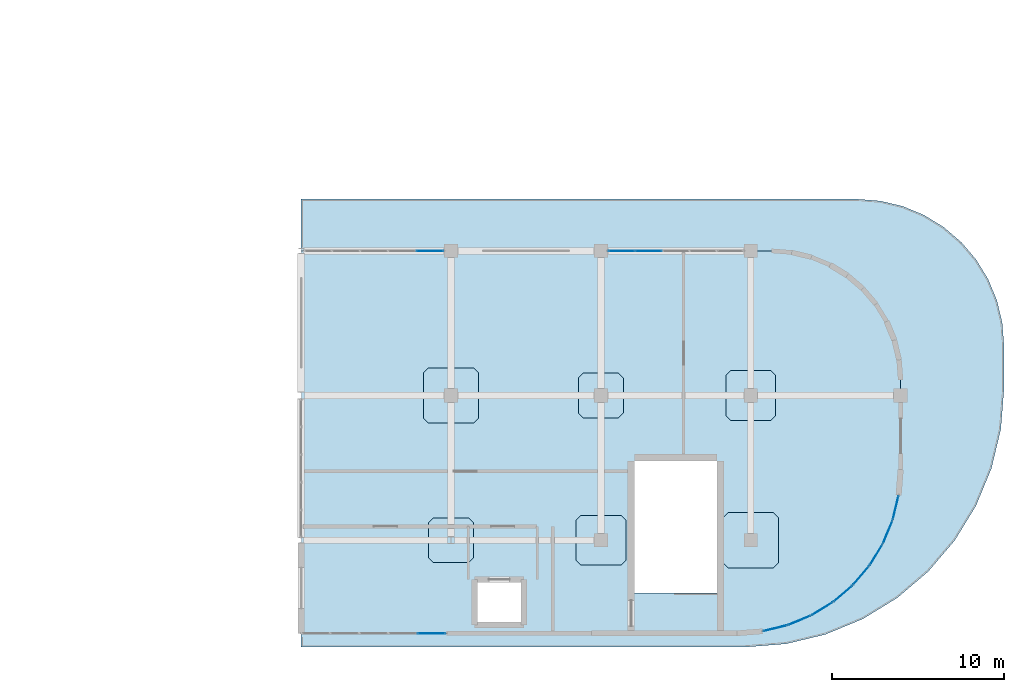
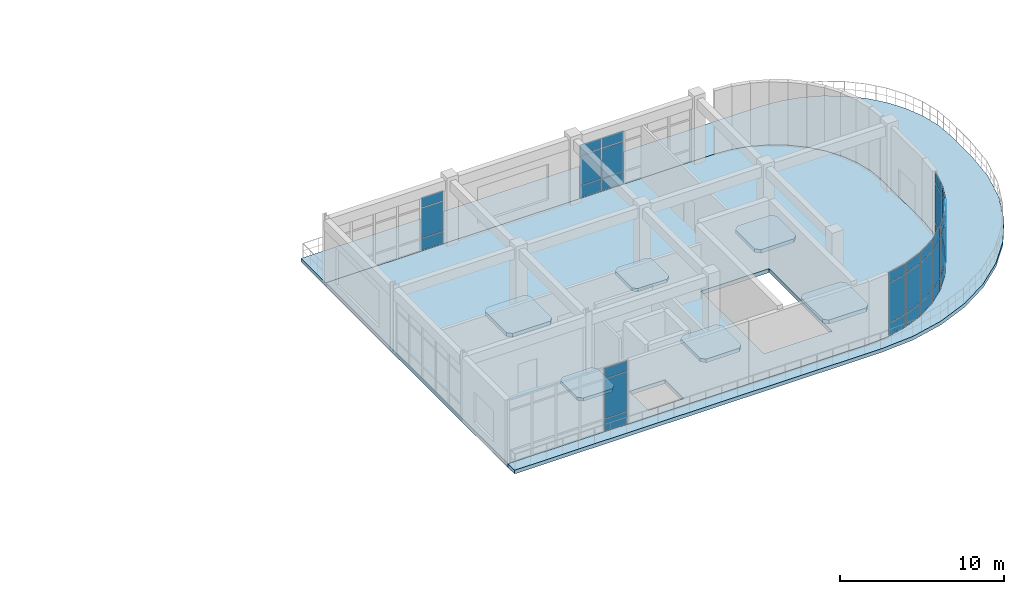
# One storey, part 76 of 96: 36 plates, 8 slabs, 11 elements without a shape of their own.
"""IFC4 building model written with IfcOpenShell, lengths in metres."""

from ifc_helpers import new_model, si_unit, derived_unit, direction, frame, origin, origin_2d, place, context, subcontext, project, spatial, polyline, rectangle, outline, extrude, material, layer, layer_set, type_object, element, aggregate, save


model = new_model("IFC4")

# Units and contexts
model_context = context("Model", 3, precision=1e-05, world=origin(), true_north=direction((0.0, 1.0)))
body_context = subcontext(model_context, "Body", "Model", "MODEL_VIEW")
ifc_project = project(units=[si_unit("LENGTHUNIT", "METRE"), si_unit("AREAUNIT", "SQUARE_METRE"), si_unit("VOLUMEUNIT", "CUBIC_METRE"), si_unit("PLANEANGLEUNIT", "RADIAN"), si_unit("MASSUNIT", "GRAM", prefix="KILO"), derived_unit("THERMALTRANSMITTANCEUNIT", [(si_unit("MASSUNIT", "GRAM", prefix="KILO"), 1), (si_unit("TIMEUNIT", "SECOND"), -3), (si_unit("THERMODYNAMICTEMPERATUREUNIT", "KELVIN"), -1)])], contexts=[model_context])

# Site, building, storey
site_placement = place(None, origin())
site = spatial("IfcSite", under=ifc_project, at=site_placement, CompositionType="ELEMENT")
building_placement = place(site_placement, origin())
building = spatial("IfcBuilding", under=site, at=building_placement, Name="Qinzheling Arcade Emporium", CompositionType="ELEMENT")
storey_placement = place(building_placement, frame((0.0, 0.0, 21.60009765625)))
storey = spatial("IfcBuildingStorey", under=building, at=storey_placement, Name="L05", CompositionType="ELEMENT", Elevation=21.60009765625)

# Slabs
ifc_material_1 = material(Name="Concrete C40", Category="concrete")
ifc_layer_1 = layer(ifc_material_1, 0.235107421875, Name="Concrete C40", Category="concrete")
ifc_layer_set_1 = layer_set([ifc_layer_1], Name="Concrete C40")
slab_type_1 = type_object("IfcSlabType", Name="Column Head Drop Panel 2600x2600x235 C40", PredefinedType="USERDEFINED", material=ifc_layer_set_1)
slab_1_placement = place(storey_placement, frame((0.0, 0.0, -0.530029296875)))
element("IfcSlab", 1, at=slab_1_placement, inside=storey, type_object=slab_type_1, Name="Column Drop Panel DP-L05-16-B", ObjectType="DROP_PANEL", PredefinedType="USERDEFINED", context=body_context, shape_type="SweptSolid", body=[
    extrude(outline(polyline([(129.47998046875, 7.10009765625), (131.52001953125, 7.10009765625), (131.800048828125, 7.3798828125), (131.800048828125, 9.419921875), (131.52001953125, 9.699951171875), (129.47998046875, 9.699951171875), (129.199951171875, 9.419921875), (129.199951171875, 7.3798828125), (129.47998046875, 7.10009765625)])), origin(), (0.0, 0.0, 1.0), 0.23486328125),
])
slab_2_placement = place(storey_placement, frame((0.0, 0.0, -0.530029296875)))
element("IfcSlab", 2, at=slab_2_placement, inside=storey, type_object=slab_type_1, Name="Column Drop Panel DP-L05-17-C", ObjectType="DROP_PANEL", PredefinedType="USERDEFINED", context=body_context, shape_type="SweptSolid", body=[
    extrude(outline(polyline([(138.179931640625, 15.5), (140.219970703125, 15.5), (140.5, 15.780029296875), (140.5, 17.820068359375), (140.219970703125, 18.10009765625), (138.179931640625, 18.10009765625), (137.89990234375, 17.820068359375), (137.89990234375, 15.780029296875), (138.179931640625, 15.5)])), origin(), (0.0, 0.0, 1.0), 0.23486328125),
])
ifc_layer_2 = layer(ifc_material_1, 0.27001953125, Name="Concrete C40", Category="concrete")
ifc_layer_set_2 = layer_set([ifc_layer_2], Name="Concrete C40")
slab_type_2 = type_object("IfcSlabType", Name="Column Head Drop Panel 2900x2900x270 C40", PredefinedType="USERDEFINED", material=ifc_layer_set_2)
slab_3_placement = place(storey_placement, frame((0.0, 0.0, -0.565185546875)))
element("IfcSlab", 3, at=slab_3_placement, inside=storey, type_object=slab_type_2, Name="Column Drop Panel DP-L05-17-B", ObjectType="DROP_PANEL", PredefinedType="USERDEFINED", context=body_context, shape_type="SweptSolid", body=[
    extrude(outline(polyline([(138.030029296875, 6.949951171875), (140.3701171875, 6.949951171875), (140.64990234375, 7.22998046875), (140.64990234375, 9.570068359375), (140.3701171875, 9.85009765625), (138.030029296875, 9.85009765625), (137.75, 9.570068359375), (137.75, 7.22998046875), (138.030029296875, 6.949951171875)])), origin(), (0.0, 0.0, 1.0), 0.27001953125),
])
slab_4_placement = place(storey_placement, frame((0.0, 0.0, -0.565185546875)))
element("IfcSlab", 4, at=slab_4_placement, inside=storey, type_object=slab_type_2, Name="Column Drop Panel DP-L05-18-C", ObjectType="DROP_PANEL", PredefinedType="USERDEFINED", context=body_context, shape_type="SweptSolid", body=[
    extrude(outline(polyline([(146.72998046875, 15.35009765625), (149.070068359375, 15.35009765625), (149.35009765625, 15.6298828125), (149.35009765625, 17.969970703125), (149.070068359375, 18.25), (146.72998046875, 18.25), (146.449951171875, 17.969970703125), (146.449951171875, 15.6298828125), (146.72998046875, 15.35009765625)])), origin(), (0.0, 0.0, 1.0), 0.27001953125),
])
ifc_layer_3 = layer(ifc_material_1, 0.300048828125, Name="Concrete C40", Category="concrete")
ifc_layer_set_3 = layer_set([ifc_layer_3], Name="Concrete C40")
slab_type_3 = type_object("IfcSlabType", Name="Column Head Drop Panel 3200x3200x300 C40", PredefinedType="USERDEFINED", material=ifc_layer_set_3)
slab_5_placement = place(storey_placement, frame((0.0, 0.0, -0.59521484375)))
element("IfcSlab", 5, at=slab_5_placement, inside=storey, type_object=slab_type_3, Name="Column Drop Panel DP-L05-16-C", ObjectType="DROP_PANEL", PredefinedType="USERDEFINED", context=body_context, shape_type="SweptSolid", body=[
    extrude(outline(polyline([(129.179931640625, 15.199951171875), (131.820068359375, 15.199951171875), (132.10009765625, 15.47998046875), (132.10009765625, 18.1201171875), (131.820068359375, 18.39990234375), (129.179931640625, 18.39990234375), (128.89990234375, 18.1201171875), (128.89990234375, 15.47998046875), (129.179931640625, 15.199951171875)])), origin(), (0.0, 0.0, 1.0), 0.300048828125),
])
slab_6_placement = place(storey_placement, frame((0.0, 0.0, -0.59521484375)))
element("IfcSlab", 6, at=slab_6_placement, inside=storey, type_object=slab_type_3, Name="Column Drop Panel DP-L05-18-B", ObjectType="DROP_PANEL", PredefinedType="USERDEFINED", context=body_context, shape_type="SweptSolid", body=[
    extrude(outline(polyline([(146.580078125, 6.800048828125), (149.219970703125, 6.800048828125), (149.5, 7.080078125), (149.5, 9.719970703125), (149.219970703125, 10.0), (146.580078125, 10.0), (146.300048828125, 9.719970703125), (146.300048828125, 7.080078125), (146.580078125, 6.800048828125)])), origin(), (0.0, 0.0, 1.0), 0.300048828125),
])
ifc_layer_4 = layer(ifc_material_1, 0.294921875, Name="Concrete C40", Category="concrete")
ifc_layer_set_4 = layer_set([ifc_layer_4], Name="Concrete C40")
slab_type_4 = type_object("IfcSlabType", Name="Food Hall Acoustic Flat Slab 295 C40", PredefinedType="FLOOR", material=ifc_layer_set_4)
slab_7_placement = place(storey_placement, frame((0.0, 0.0, -0.295166015625)))
element("IfcSlab", 7, at=slab_7_placement, inside=storey, type_object=slab_type_4, Name="Floor Slab SLB-L05-V4", PredefinedType="FLOOR", context=body_context, shape_type="SweptSolid", body=[
    extrude(outline(polyline([(121.800048828125, 25.199951171875), (121.800048828125, 3.0), (147.10009765625, 3.0), (148.5859375, 3.116943359375), (150.035888671875, 3.465087890625), (151.4130859375, 4.034912109375), (152.68408203125, 4.81396484375), (153.818115234375, 5.781982421875), (154.785888671875, 6.916015625), (155.56494140625, 8.18701171875), (156.135009765625, 9.56396484375), (156.48291015625, 11.013916015625), (156.60009765625, 12.5), (156.60009765625, 17.699951171875), (156.508056640625, 18.873046875), (156.23291015625, 20.01806640625), (155.782958984375, 21.10498046875), (155.16796875, 22.10791015625), (154.403076171875, 23.0029296875), (153.508056640625, 23.76806640625), (152.5048828125, 24.383056640625), (151.41796875, 24.8330078125), (150.27294921875, 25.10791015625), (149.10009765625, 25.199951171875), (121.800048828125, 25.199951171875)]), holes=[polyline([(145.945068359375, 5.324951171875), (141.155029296875, 5.324951171875), (141.155029296875, 13.0), (145.945068359375, 13.0), (145.945068359375, 5.324951171875)]), polyline([(134.550048828125, 3.64990234375), (132.050048828125, 3.64990234375), (132.050048828125, 5.949951171875), (134.550048828125, 5.949951171875), (134.550048828125, 3.64990234375)])]), origin(), (0.0, 0.0, 1.0), 0.295166015625),
])

# Curtain wall, plates
ifc_material_2 = material(Name="Anodised aluminium and solar-control double glazing", Category="aluminium")
ifc_layer_5 = layer(ifc_material_2, 0.159912109375, Name="Anodised aluminium and solar-control double glazing", Category="aluminium")
ifc_layer_set_5 = layer_set([ifc_layer_5], Name="Anodised aluminium and solar-control double glazing")
curtain_wall_type_1 = type_object("IfcCurtainWallType", Name="Curved Ribbon Sales Curtain Wall", PredefinedType="NOTDEFINED", material=ifc_layer_set_5)
curtain_wall_1_placement = place(storey_placement, origin())
curtain_wall_1 = element("IfcCurtainWall", 8, at=curtain_wall_1_placement, inside=storey, type_object=curtain_wall_type_1, Name="Curtain Wall CW-L05-286", PredefinedType="NOTDEFINED")
ifc_material_3 = material(Name="Laminated solar-control double glazing", Category="glass")
ifc_layer_6 = layer(ifc_material_3, 0.02392578125, Name="Laminated solar-control double glazing", Category="glass")
ifc_layer_set_6 = layer_set([ifc_layer_6], Name="Laminated solar-control double glazing")
plate_type_1 = type_object("IfcPlateType", Name="Low-E Double Glazed Curtain Panel 24mm", PredefinedType="CURTAIN_PANEL", material=ifc_layer_set_6)
plate_1_placement = place(storey_placement, frame((156.30908203125, 10.2890625, 0.06005859375), z_axis=(0.0, 0.0, 1.0), x_axis=(-0.233372952479, -0.97238730198, 0.0)))
plate_1 = element("IfcPlate", 9, at=plate_1_placement, type_object=plate_type_1, Name="CW02 panel 1.1", PredefinedType="CURTAIN_PANEL", context=body_context, shape_type="SweptSolid", body=[
    extrude(rectangle(XDim=1.37109375, YDim=0.02392578125, at=origin_2d()), origin(), (0.0, 0.0, 1.0), 0.860107421875),
])
plate_2_placement = place(storey_placement, frame((156.30908203125, 10.2890625, 0.97998046875), z_axis=(0.0, 0.0, 1.0), x_axis=(-0.233372952479, -0.97238730198, 0.0)))
plate_2 = element("IfcPlate", 10, at=plate_2_placement, type_object=plate_type_1, Name="CW02 panel 1.2", PredefinedType="CURTAIN_PANEL", context=body_context, shape_type="SweptSolid", body=[
    extrude(rectangle(XDim=1.37109375, YDim=0.02392578125, at=origin_2d()), origin(), (0.0, 0.0, 1.0), 2.929931640625),
])
plate_3_placement = place(storey_placement, frame((156.30908203125, 10.2890625, 3.9697265625), z_axis=(0.0, 0.0, 1.0), x_axis=(-0.233372952479, -0.97238730198, 0.0)))
plate_3 = element("IfcPlate", 11, at=plate_3_placement, type_object=plate_type_1, Name="CW02 panel 1.3", PredefinedType="CURTAIN_PANEL", context=body_context, shape_type="SweptSolid", body=[
    extrude(rectangle(XDim=1.37109375, YDim=0.02392578125, at=origin_2d()), origin(), (0.0, 0.0, 1.0), 0.760009765625),
])
aggregate(curtain_wall_1, [plate_1, plate_2, plate_3])

curtain_wall_2_placement = place(storey_placement, origin())
curtain_wall_2 = element("IfcCurtainWall", 12, at=curtain_wall_2_placement, inside=storey, type_object=curtain_wall_type_1, Name="Curtain Wall CW-L05-287", PredefinedType="NOTDEFINED")
ifc_layer_7 = layer(ifc_material_3, 0.02490234375, Name="Laminated solar-control double glazing", Category="glass")
ifc_layer_set_7 = layer_set([ifc_layer_7], Name="Laminated solar-control double glazing")
plate_type_2 = type_object("IfcPlateType", Name="Low-E Double Glazed Curtain Panel 25mm", PredefinedType="CURTAIN_PANEL", material=ifc_layer_set_7)
plate_4_placement = place(storey_placement, frame((155.85009765625, 8.87548828125, 0.06005859375), z_axis=(0.0, 0.0, 1.0), x_axis=(-0.382470321658, -0.923967777063, 0.0)))
plate_4 = element("IfcPlate", 13, at=plate_4_placement, type_object=plate_type_2, Name="CW02 panel 1.1", PredefinedType="CURTAIN_PANEL", context=body_context, shape_type="SweptSolid", body=[
    extrude(rectangle(XDim=1.370361328125, YDim=0.02490234375, at=origin_2d()), origin(), (0.0, 0.0, 1.0), 0.860107421875),
])
plate_5_placement = place(storey_placement, frame((155.85009765625, 8.87548828125, 0.97998046875), z_axis=(0.0, 0.0, 1.0), x_axis=(-0.382470321658, -0.923967777063, 0.0)))
plate_5 = element("IfcPlate", 14, at=plate_5_placement, type_object=plate_type_2, Name="CW02 panel 1.2", PredefinedType="CURTAIN_PANEL", context=body_context, shape_type="SweptSolid", body=[
    extrude(rectangle(XDim=1.370361328125, YDim=0.02490234375, at=origin_2d()), origin(), (0.0, 0.0, 1.0), 2.929931640625),
])
plate_6_placement = place(storey_placement, frame((155.85009765625, 8.87548828125, 3.9697265625), z_axis=(0.0, 0.0, 1.0), x_axis=(-0.382470321658, -0.923967777063, 0.0)))
plate_6 = element("IfcPlate", 15, at=plate_6_placement, type_object=plate_type_2, Name="CW02 panel 1.3", PredefinedType="CURTAIN_PANEL", context=body_context, shape_type="SweptSolid", body=[
    extrude(rectangle(XDim=1.370361328125, YDim=0.02490234375, at=origin_2d()), origin(), (0.0, 0.0, 1.0), 0.760009765625),
])
aggregate(curtain_wall_2, [plate_4, plate_5, plate_6])

curtain_wall_3_placement = place(storey_placement, origin())
curtain_wall_3 = element("IfcCurtainWall", 16, at=curtain_wall_3_placement, inside=storey, type_object=curtain_wall_type_1, Name="Curtain Wall CW-L05-288", PredefinedType="NOTDEFINED")
ifc_layer_8 = layer(ifc_material_3, 0.02587890625, Name="Laminated solar-control double glazing", Category="glass")
ifc_layer_set_8 = layer_set([ifc_layer_8], Name="Laminated solar-control double glazing")
plate_type_3 = type_object("IfcPlateType", Name="Low-E Double Glazed Curtain Panel 26mm", PredefinedType="CURTAIN_PANEL", material=ifc_layer_set_8)
plate_7_placement = place(storey_placement, frame((155.175537109375, 7.551513671875, 0.06005859375), z_axis=(0.0, 0.0, 1.0), x_axis=(-0.522562057926, -0.852601252413, 0.0)))
plate_7 = element("IfcPlate", 17, at=plate_7_placement, type_object=plate_type_3, Name="CW02 panel 1.1", PredefinedType="CURTAIN_PANEL", context=body_context, shape_type="SweptSolid", body=[
    extrude(rectangle(XDim=1.370849609375, YDim=0.02587890625, at=origin_2d()), origin(), (0.0, 0.0, 1.0), 0.860107421875),
])
plate_8_placement = place(storey_placement, frame((155.175537109375, 7.551513671875, 0.97998046875), z_axis=(0.0, 0.0, 1.0), x_axis=(-0.522562057926, -0.852601252413, 0.0)))
plate_8 = element("IfcPlate", 18, at=plate_8_placement, type_object=plate_type_3, Name="CW02 panel 1.2", PredefinedType="CURTAIN_PANEL", context=body_context, shape_type="SweptSolid", body=[
    extrude(rectangle(XDim=1.370849609375, YDim=0.02587890625, at=origin_2d()), origin(), (0.0, 0.0, 1.0), 2.929931640625),
])
plate_9_placement = place(storey_placement, frame((155.175537109375, 7.551513671875, 3.9697265625), z_axis=(0.0, 0.0, 1.0), x_axis=(-0.522562057926, -0.852601252413, 0.0)))
plate_9 = element("IfcPlate", 19, at=plate_9_placement, type_object=plate_type_3, Name="CW02 panel 1.3", PredefinedType="CURTAIN_PANEL", context=body_context, shape_type="SweptSolid", body=[
    extrude(rectangle(XDim=1.370849609375, YDim=0.02587890625, at=origin_2d()), origin(), (0.0, 0.0, 1.0), 0.760009765625),
])
aggregate(curtain_wall_3, [plate_7, plate_8, plate_9])

curtain_wall_4_placement = place(storey_placement, origin())
curtain_wall_4 = element("IfcCurtainWall", 20, at=curtain_wall_4_placement, inside=storey, type_object=curtain_wall_type_1, Name="Curtain Wall CW-L05-289", PredefinedType="NOTDEFINED")
ifc_layer_9 = layer(ifc_material_3, 0.027099609375, Name="Laminated solar-control double glazing", Category="glass")
ifc_layer_set_9 = layer_set([ifc_layer_9], Name="Laminated solar-control double glazing")
plate_type_4 = type_object("IfcPlateType", Name="Low-E Double Glazed Curtain Panel 27mm", PredefinedType="CURTAIN_PANEL", material=ifc_layer_set_9)
plate_10_placement = place(storey_placement, frame((154.302001953125, 6.34912109375, 0.06005859375), z_axis=(0.0, 0.0, 1.0), x_axis=(-0.649243454095, -0.760580657994, 0.0)))
plate_10 = element("IfcPlate", 21, at=plate_10_placement, type_object=plate_type_4, Name="CW02 panel 1.1", PredefinedType="CURTAIN_PANEL", context=body_context, shape_type="SweptSolid", body=[
    extrude(rectangle(XDim=1.370849609375, YDim=0.027099609375, at=origin_2d()), origin(), (0.0, 0.0, 1.0), 0.860107421875),
])
plate_11_placement = place(storey_placement, frame((154.302001953125, 6.34912109375, 0.97998046875), z_axis=(0.0, 0.0, 1.0), x_axis=(-0.649243454095, -0.760580657994, 0.0)))
plate_11 = element("IfcPlate", 22, at=plate_11_placement, type_object=plate_type_4, Name="CW02 panel 1.2", PredefinedType="CURTAIN_PANEL", context=body_context, shape_type="SweptSolid", body=[
    extrude(rectangle(XDim=1.370849609375, YDim=0.027099609375, at=origin_2d()), origin(), (0.0, 0.0, 1.0), 2.929931640625),
])
plate_12_placement = place(storey_placement, frame((154.302001953125, 6.34912109375, 3.9697265625), z_axis=(0.0, 0.0, 1.0), x_axis=(-0.649243454095, -0.760580657994, 0.0)))
plate_12 = element("IfcPlate", 23, at=plate_12_placement, type_object=plate_type_4, Name="CW02 panel 1.3", PredefinedType="CURTAIN_PANEL", context=body_context, shape_type="SweptSolid", body=[
    extrude(rectangle(XDim=1.370849609375, YDim=0.027099609375, at=origin_2d()), origin(), (0.0, 0.0, 1.0), 0.760009765625),
])
aggregate(curtain_wall_4, [plate_10, plate_11, plate_12])

curtain_wall_5_placement = place(storey_placement, origin())
curtain_wall_5 = element("IfcCurtainWall", 24, at=curtain_wall_5_placement, inside=storey, type_object=curtain_wall_type_1, Name="Curtain Wall CW-L05-290", PredefinedType="NOTDEFINED")
ifc_layer_10 = layer(ifc_material_3, 0.028076171875, Name="Laminated solar-control double glazing", Category="glass")
ifc_layer_set_10 = layer_set([ifc_layer_10], Name="Laminated solar-control double glazing")
plate_type_5 = type_object("IfcPlateType", Name="Low-E Double Glazed Curtain Panel 28mm", PredefinedType="CURTAIN_PANEL", material=ifc_layer_set_10)
plate_13_placement = place(storey_placement, frame((153.2509765625, 5.298095703125, 0.06005859375), z_axis=(0.0, 0.0, 1.0), x_axis=(-0.760580657994, -0.649243454095, 0.0)))
plate_13 = element("IfcPlate", 25, at=plate_13_placement, type_object=plate_type_5, Name="CW02 panel 1.1", PredefinedType="CURTAIN_PANEL", context=body_context, shape_type="SweptSolid", body=[
    extrude(rectangle(XDim=1.370849609375, YDim=0.028076171875, at=origin_2d()), origin(), (0.0, 0.0, 1.0), 0.860107421875),
])
plate_14_placement = place(storey_placement, frame((153.2509765625, 5.298095703125, 0.97998046875), z_axis=(0.0, 0.0, 1.0), x_axis=(-0.760580657994, -0.649243454095, 0.0)))
plate_14 = element("IfcPlate", 26, at=plate_14_placement, type_object=plate_type_5, Name="CW02 panel 1.2", PredefinedType="CURTAIN_PANEL", context=body_context, shape_type="SweptSolid", body=[
    extrude(rectangle(XDim=1.370849609375, YDim=0.028076171875, at=origin_2d()), origin(), (0.0, 0.0, 1.0), 2.929931640625),
])
plate_15_placement = place(storey_placement, frame((153.2509765625, 5.298095703125, 3.9697265625), z_axis=(0.0, 0.0, 1.0), x_axis=(-0.760580657994, -0.649243454095, 0.0)))
plate_15 = element("IfcPlate", 27, at=plate_15_placement, type_object=plate_type_5, Name="CW02 panel 1.3", PredefinedType="CURTAIN_PANEL", context=body_context, shape_type="SweptSolid", body=[
    extrude(rectangle(XDim=1.370849609375, YDim=0.028076171875, at=origin_2d()), origin(), (0.0, 0.0, 1.0), 0.760009765625),
])
aggregate(curtain_wall_5, [plate_13, plate_14, plate_15])

curtain_wall_6_placement = place(storey_placement, origin())
curtain_wall_6 = element("IfcCurtainWall", 28, at=curtain_wall_6_placement, inside=storey, type_object=curtain_wall_type_1, Name="Curtain Wall CW-L05-291", PredefinedType="NOTDEFINED")
ifc_layer_11 = layer(ifc_material_3, 0.029052734375, Name="Laminated solar-control double glazing", Category="glass")
ifc_layer_set_11 = layer_set([ifc_layer_11], Name="Laminated solar-control double glazing")
plate_type_6 = type_object("IfcPlateType", Name="Low-E Double Glazed Curtain Panel 29mm", PredefinedType="CURTAIN_PANEL", material=ifc_layer_set_11)
plate_16_placement = place(storey_placement, frame((152.048583984375, 4.424560546875, 0.06005859375), z_axis=(0.0, 0.0, 1.0), x_axis=(-0.852601252413, -0.522562057926, 0.0)))
plate_16 = element("IfcPlate", 29, at=plate_16_placement, type_object=plate_type_6, Name="CW02 panel 1.1", PredefinedType="CURTAIN_PANEL", context=body_context, shape_type="SweptSolid", body=[
    extrude(rectangle(XDim=1.370849609375, YDim=0.029052734375, at=origin_2d()), origin(), (0.0, 0.0, 1.0), 0.860107421875),
])
plate_17_placement = place(storey_placement, frame((152.048583984375, 4.424560546875, 0.97998046875), z_axis=(0.0, 0.0, 1.0), x_axis=(-0.852601252413, -0.522562057926, 0.0)))
plate_17 = element("IfcPlate", 30, at=plate_17_placement, type_object=plate_type_6, Name="CW02 panel 1.2", PredefinedType="CURTAIN_PANEL", context=body_context, shape_type="SweptSolid", body=[
    extrude(rectangle(XDim=1.370849609375, YDim=0.029052734375, at=origin_2d()), origin(), (0.0, 0.0, 1.0), 2.929931640625),
])
plate_18_placement = place(storey_placement, frame((152.048583984375, 4.424560546875, 3.9697265625), z_axis=(0.0, 0.0, 1.0), x_axis=(-0.852601252413, -0.522562057926, 0.0)))
plate_18 = element("IfcPlate", 31, at=plate_18_placement, type_object=plate_type_6, Name="CW02 panel 1.3", PredefinedType="CURTAIN_PANEL", context=body_context, shape_type="SweptSolid", body=[
    extrude(rectangle(XDim=1.370849609375, YDim=0.029052734375, at=origin_2d()), origin(), (0.0, 0.0, 1.0), 0.760009765625),
])
aggregate(curtain_wall_6, [plate_16, plate_17, plate_18])

curtain_wall_7_placement = place(storey_placement, origin())
curtain_wall_7 = element("IfcCurtainWall", 32, at=curtain_wall_7_placement, inside=storey, type_object=curtain_wall_type_1, Name="Curtain Wall CW-L05-292", PredefinedType="NOTDEFINED")
ifc_layer_12 = layer(ifc_material_3, 0.030029296875, Name="Laminated solar-control double glazing", Category="glass")
ifc_layer_set_12 = layer_set([ifc_layer_12], Name="Laminated solar-control double glazing")
plate_type_7 = type_object("IfcPlateType", Name="Low-E Double Glazed Curtain Panel 30mm", PredefinedType="CURTAIN_PANEL", material=ifc_layer_set_12)
plate_19_placement = place(storey_placement, frame((150.724609375, 3.75, 0.06005859375), z_axis=(0.0, 0.0, 1.0), x_axis=(-0.923967777063, -0.382470321658, 0.0)))
plate_19 = element("IfcPlate", 33, at=plate_19_placement, type_object=plate_type_7, Name="CW02 panel 1.1", PredefinedType="CURTAIN_PANEL", context=body_context, shape_type="SweptSolid", body=[
    extrude(rectangle(XDim=1.370361328125, YDim=0.030029296875, at=origin_2d()), origin(), (0.0, 0.0, 1.0), 0.860107421875),
])
plate_20_placement = place(storey_placement, frame((150.724609375, 3.75, 0.97998046875), z_axis=(0.0, 0.0, 1.0), x_axis=(-0.923967777063, -0.382470321658, 0.0)))
plate_20 = element("IfcPlate", 34, at=plate_20_placement, type_object=plate_type_7, Name="CW02 panel 1.2", PredefinedType="CURTAIN_PANEL", context=body_context, shape_type="SweptSolid", body=[
    extrude(rectangle(XDim=1.370361328125, YDim=0.030029296875, at=origin_2d()), origin(), (0.0, 0.0, 1.0), 2.929931640625),
])
plate_21_placement = place(storey_placement, frame((150.724609375, 3.75, 3.9697265625), z_axis=(0.0, 0.0, 1.0), x_axis=(-0.923967777063, -0.382470321658, 0.0)))
plate_21 = element("IfcPlate", 35, at=plate_21_placement, type_object=plate_type_7, Name="CW02 panel 1.3", PredefinedType="CURTAIN_PANEL", context=body_context, shape_type="SweptSolid", body=[
    extrude(rectangle(XDim=1.370361328125, YDim=0.030029296875, at=origin_2d()), origin(), (0.0, 0.0, 1.0), 0.760009765625),
])
aggregate(curtain_wall_7, [plate_19, plate_20, plate_21])

curtain_wall_8_placement = place(storey_placement, origin())
curtain_wall_8 = element("IfcCurtainWall", 36, at=curtain_wall_8_placement, inside=storey, type_object=curtain_wall_type_1, Name="Curtain Wall CW-L05-293", PredefinedType="NOTDEFINED")
ifc_layer_13 = layer(ifc_material_3, 0.031005859375, Name="Laminated solar-control double glazing", Category="glass")
ifc_layer_set_13 = layer_set([ifc_layer_13], Name="Laminated solar-control double glazing")
plate_type_8 = type_object("IfcPlateType", Name="Low-E Double Glazed Curtain Panel 31mm", PredefinedType="CURTAIN_PANEL", material=ifc_layer_set_13)
plate_22_placement = place(storey_placement, frame((149.31103515625, 3.291015625, 0.06005859375), z_axis=(0.0, 0.0, 1.0), x_axis=(-0.97238730198, -0.233372952479, 0.0)))
plate_22 = element("IfcPlate", 37, at=plate_22_placement, type_object=plate_type_8, Name="CW02 panel 1.1", PredefinedType="CURTAIN_PANEL", context=body_context, shape_type="SweptSolid", body=[
    extrude(rectangle(XDim=1.37109375, YDim=0.031005859375, at=origin_2d()), origin(), (0.0, 0.0, 1.0), 0.860107421875),
])
plate_23_placement = place(storey_placement, frame((149.31103515625, 3.291015625, 0.97998046875), z_axis=(0.0, 0.0, 1.0), x_axis=(-0.97238730198, -0.233372952479, 0.0)))
plate_23 = element("IfcPlate", 38, at=plate_23_placement, type_object=plate_type_8, Name="CW02 panel 1.2", PredefinedType="CURTAIN_PANEL", context=body_context, shape_type="SweptSolid", body=[
    extrude(rectangle(XDim=1.37109375, YDim=0.031005859375, at=origin_2d()), origin(), (0.0, 0.0, 1.0), 2.929931640625),
])
plate_24_placement = place(storey_placement, frame((149.31103515625, 3.291015625, 3.9697265625), z_axis=(0.0, 0.0, 1.0), x_axis=(-0.97238730198, -0.233372952479, 0.0)))
plate_24 = element("IfcPlate", 39, at=plate_24_placement, type_object=plate_type_8, Name="CW02 panel 1.3", PredefinedType="CURTAIN_PANEL", context=body_context, shape_type="SweptSolid", body=[
    extrude(rectangle(XDim=1.37109375, YDim=0.031005859375, at=origin_2d()), origin(), (0.0, 0.0, 1.0), 0.760009765625),
])
aggregate(curtain_wall_8, [plate_22, plate_23, plate_24])

ifc_layer_14 = layer(ifc_material_2, 0.159912109375, Name="Anodised aluminium and solar-control double glazing", Category="aluminium")
ifc_layer_set_14 = layer_set([ifc_layer_14], Name="Anodised aluminium and solar-control double glazing")
curtain_wall_type_2 = type_object("IfcCurtainWallType", Name="Food Hall Loggia Curtain Wall", PredefinedType="NOTDEFINED", material=ifc_layer_set_14)
curtain_wall_9_placement = place(storey_placement, origin())
curtain_wall_9 = element("IfcCurtainWall", 40, at=curtain_wall_9_placement, inside=storey, type_object=curtain_wall_type_2, Name="Curtain Wall CW-L05-294", PredefinedType="NOTDEFINED")
ifc_layer_15 = layer(ifc_material_3, 0.031982421875, Name="Laminated solar-control double glazing", Category="glass")
ifc_layer_set_15 = layer_set([ifc_layer_15], Name="Laminated solar-control double glazing")
plate_type_9 = type_object("IfcPlateType", Name="Low-E Double Glazed Curtain Panel 32mm", PredefinedType="CURTAIN_PANEL", material=ifc_layer_set_15)
plate_25_placement = place(storey_placement, frame((129.372802734375, 3.0, 0.06005859375), z_axis=(0.0, 0.0, 1.0), x_axis=(-1.0, 0.0, 0.0)))
plate_25 = element("IfcPlate", 41, at=plate_25_placement, type_object=plate_type_9, Name="CW04 panel 1.1", PredefinedType="CURTAIN_PANEL", context=body_context, shape_type="SweptSolid", body=[
    extrude(rectangle(XDim=1.59619140625, YDim=0.031982421875, at=origin_2d()), origin(), (0.0, 0.0, 1.0), 0.860107421875),
])
plate_26_placement = place(storey_placement, frame((129.372802734375, 3.0, 0.97998046875), z_axis=(0.0, 0.0, 1.0), x_axis=(-1.0, 0.0, 0.0)))
plate_26 = element("IfcPlate", 42, at=plate_26_placement, type_object=plate_type_9, Name="CW04 panel 1.2", PredefinedType="CURTAIN_PANEL", context=body_context, shape_type="SweptSolid", body=[
    extrude(rectangle(XDim=1.59619140625, YDim=0.031982421875, at=origin_2d()), origin(), (0.0, 0.0, 1.0), 2.929931640625),
])
plate_27_placement = place(storey_placement, frame((129.372802734375, 3.0, 3.9697265625), z_axis=(0.0, 0.0, 1.0), x_axis=(-1.0, 0.0, 0.0)))
plate_27 = element("IfcPlate", 43, at=plate_27_placement, type_object=plate_type_9, Name="CW04 panel 1.3", PredefinedType="CURTAIN_PANEL", context=body_context, shape_type="SweptSolid", body=[
    extrude(rectangle(XDim=1.59619140625, YDim=0.031982421875, at=origin_2d()), origin(), (0.0, 0.0, 1.0), 0.760009765625),
])
aggregate(curtain_wall_9, [plate_25, plate_26, plate_27])

curtain_wall_10_placement = place(storey_placement, origin())
curtain_wall_10 = element("IfcCurtainWall", 44, at=curtain_wall_10_placement, inside=storey, type_object=curtain_wall_type_2, Name="Curtain Wall CW-L05-296", PredefinedType="NOTDEFINED")
ifc_layer_16 = layer(ifc_material_3, 0.035888671875, Name="Laminated solar-control double glazing", Category="glass")
ifc_layer_set_16 = layer_set([ifc_layer_16], Name="Laminated solar-control double glazing")
plate_type_10 = type_object("IfcPlateType", Name="Low-E Double Glazed Curtain Panel 36mm", PredefinedType="CURTAIN_PANEL", material=ifc_layer_set_16)
plate_28_placement = place(storey_placement, frame((129.268310546875, 25.199951171875, 0.06005859375), z_axis=(0.0, 0.0, 1.0), x_axis=(1.0, 0.0, 0.0)))
plate_28 = element("IfcPlate", 45, at=plate_28_placement, type_object=plate_type_10, Name="CW04 panel 5.1", PredefinedType="CURTAIN_PANEL", context=body_context, shape_type="SweptSolid", body=[
    extrude(rectangle(XDim=1.539306640625, YDim=0.035888671875, at=origin_2d()), origin(), (0.0, 0.0, 1.0), 0.860107421875),
])
plate_29_placement = place(storey_placement, frame((129.268310546875, 25.199951171875, 0.97998046875), z_axis=(0.0, 0.0, 1.0), x_axis=(1.0, 0.0, 0.0)))
plate_29 = element("IfcPlate", 46, at=plate_29_placement, type_object=plate_type_10, Name="CW04 panel 5.2", PredefinedType="CURTAIN_PANEL", context=body_context, shape_type="SweptSolid", body=[
    extrude(rectangle(XDim=1.539306640625, YDim=0.035888671875, at=origin_2d()), origin(), (0.0, 0.0, 1.0), 2.195068359375),
])
plate_30_placement = place(storey_placement, frame((129.268310546875, 25.199951171875, 3.23486328125), z_axis=(0.0, 0.0, 1.0), x_axis=(1.0, 0.0, 0.0)))
plate_30 = element("IfcPlate", 47, at=plate_30_placement, type_object=plate_type_10, Name="CW04 panel 5.3", PredefinedType="CURTAIN_PANEL", context=body_context, shape_type="SweptSolid", body=[
    extrude(rectangle(XDim=1.539306640625, YDim=0.035888671875, at=origin_2d()), origin(), (0.0, 0.0, 1.0), 0.760009765625),
])
aggregate(curtain_wall_10, [plate_28, plate_29, plate_30])

curtain_wall_11_placement = place(storey_placement, origin())
curtain_wall_11 = element("IfcCurtainWall", 48, at=curtain_wall_11_placement, inside=storey, type_object=curtain_wall_type_2, Name="Curtain Wall CW-L05-297", PredefinedType="NOTDEFINED")
ifc_layer_17 = layer(ifc_material_3, 0.0380859375, Name="Laminated solar-control double glazing", Category="glass")
ifc_layer_set_17 = layer_set([ifc_layer_17], Name="Laminated solar-control double glazing")
plate_type_11 = type_object("IfcPlateType", Name="Low-E Double Glazed Curtain Panel 38mm", PredefinedType="CURTAIN_PANEL", material=ifc_layer_set_17)
plate_31_placement = place(storey_placement, frame((140.406494140625, 25.199951171875, 0.06005859375), z_axis=(0.0, 0.0, 1.0), x_axis=(1.0, 0.0, 0.0)))
plate_31 = element("IfcPlate", 49, at=plate_31_placement, type_object=plate_type_11, Name="CW04 panel 1.1", PredefinedType="CURTAIN_PANEL", context=body_context, shape_type="SweptSolid", body=[
    extrude(rectangle(XDim=1.4892578125, YDim=0.0380859375, at=origin_2d()), origin(), (0.0, 0.0, 1.0), 0.860107421875),
])
plate_32_placement = place(storey_placement, frame((140.406494140625, 25.199951171875, 0.97998046875), z_axis=(0.0, 0.0, 1.0), x_axis=(1.0, 0.0, 0.0)))
plate_32 = element("IfcPlate", 50, at=plate_32_placement, type_object=plate_type_11, Name="CW04 panel 1.2", PredefinedType="CURTAIN_PANEL", context=body_context, shape_type="SweptSolid", body=[
    extrude(rectangle(XDim=1.4892578125, YDim=0.0380859375, at=origin_2d()), origin(), (0.0, 0.0, 1.0), 2.195068359375),
])
plate_33_placement = place(storey_placement, frame((140.406494140625, 25.199951171875, 3.23486328125), z_axis=(0.0, 0.0, 1.0), x_axis=(1.0, 0.0, 0.0)))
plate_33 = element("IfcPlate", 51, at=plate_33_placement, type_object=plate_type_11, Name="CW04 panel 1.3", PredefinedType="CURTAIN_PANEL", context=body_context, shape_type="SweptSolid", body=[
    extrude(rectangle(XDim=1.4892578125, YDim=0.0380859375, at=origin_2d()), origin(), (0.0, 0.0, 1.0), 0.760009765625),
])
plate_34_placement = place(storey_placement, frame((141.970703125, 25.199951171875, 0.06005859375), z_axis=(0.0, 0.0, 1.0), x_axis=(1.0, 0.0, 0.0)))
plate_34 = element("IfcPlate", 52, at=plate_34_placement, type_object=plate_type_11, Name="CW04 panel 2.1", PredefinedType="CURTAIN_PANEL", context=body_context, shape_type="SweptSolid", body=[
    extrude(rectangle(XDim=1.519287109375, YDim=0.0380859375, at=origin_2d()), origin(), (0.0, 0.0, 1.0), 0.860107421875),
])
plate_35_placement = place(storey_placement, frame((141.970703125, 25.199951171875, 0.97998046875), z_axis=(0.0, 0.0, 1.0), x_axis=(1.0, 0.0, 0.0)))
plate_35 = element("IfcPlate", 53, at=plate_35_placement, type_object=plate_type_11, Name="CW04 panel 2.2", PredefinedType="CURTAIN_PANEL", context=body_context, shape_type="SweptSolid", body=[
    extrude(rectangle(XDim=1.519287109375, YDim=0.0380859375, at=origin_2d()), origin(), (0.0, 0.0, 1.0), 2.195068359375),
])
plate_36_placement = place(storey_placement, frame((141.970703125, 25.199951171875, 3.23486328125), z_axis=(0.0, 0.0, 1.0), x_axis=(1.0, 0.0, 0.0)))
plate_36 = element("IfcPlate", 54, at=plate_36_placement, type_object=plate_type_11, Name="CW04 panel 2.3", PredefinedType="CURTAIN_PANEL", context=body_context, shape_type="SweptSolid", body=[
    extrude(rectangle(XDim=1.519287109375, YDim=0.0380859375, at=origin_2d()), origin(), (0.0, 0.0, 1.0), 0.760009765625),
])
aggregate(curtain_wall_11, [plate_31, plate_32, plate_33, plate_34, plate_35, plate_36])

# Slab
ifc_layer_18 = layer(ifc_material_1, 0.27490234375, Name="Concrete C40", Category="concrete")
ifc_layer_set_18 = layer_set([ifc_layer_18], Name="Concrete C40")
slab_type_5 = type_object("IfcSlabType", Name="Planted Court Terrace Slab 275 C40", PredefinedType="FLOOR", material=ifc_layer_set_18)
slab_8_placement = place(storey_placement, frame((0.0, 0.0, -0.275146484375)))
element("IfcSlab", 55, at=slab_8_placement, inside=storey, type_object=slab_type_5, Name="Outdoor Terrace SLB-TR-V4-L05", PredefinedType="FLOOR", context=body_context, shape_type="SweptSolid", body=[
    extrude(outline(polyline([(121.800048828125, 28.199951171875), (121.800048828125, 25.199951171875), (149.10009765625, 25.199951171875), (150.27294921875, 25.10791015625), (151.41796875, 24.8330078125), (152.5048828125, 24.383056640625), (153.508056640625, 23.76806640625), (154.403076171875, 23.0029296875), (155.16796875, 22.10791015625), (155.782958984375, 21.10498046875), (156.23291015625, 20.01806640625), (156.508056640625, 18.873046875), (156.60009765625, 17.699951171875), (156.60009765625, 12.5), (156.48291015625, 11.013916015625), (156.135009765625, 9.56396484375), (155.56494140625, 8.18701171875), (154.785888671875, 6.916015625), (153.818115234375, 5.781982421875), (152.68408203125, 4.81396484375), (151.4130859375, 4.034912109375), (150.035888671875, 3.465087890625), (148.5859375, 3.116943359375), (147.10009765625, 3.0), (121.800048828125, 3.0), (121.800048828125, 2.199951171875), (147.60009765625, 2.199951171875), (149.947021484375, 2.385009765625), (152.235107421875, 2.93408203125), (154.409912109375, 3.8349609375), (156.4169921875, 5.06494140625), (158.20703125, 6.593017578125), (159.735107421875, 8.383056640625), (160.965087890625, 10.389892578125), (161.865966796875, 12.56494140625), (162.4150390625, 14.85302734375), (162.60009765625, 17.199951171875), (162.60009765625, 19.699951171875), (162.4951171875, 21.030029296875), (162.18408203125, 22.326904296875), (161.674072265625, 23.55908203125), (160.97705078125, 24.696044921875), (160.110107421875, 25.7099609375), (159.095947265625, 26.576904296875), (157.958984375, 27.27392578125), (156.72705078125, 27.783935546875), (155.429931640625, 28.094970703125), (154.10009765625, 28.199951171875), (121.800048828125, 28.199951171875)])), origin(), (0.0, 0.0, 1.0), 0.275146484375),
])

save(model, "model.ifc")
